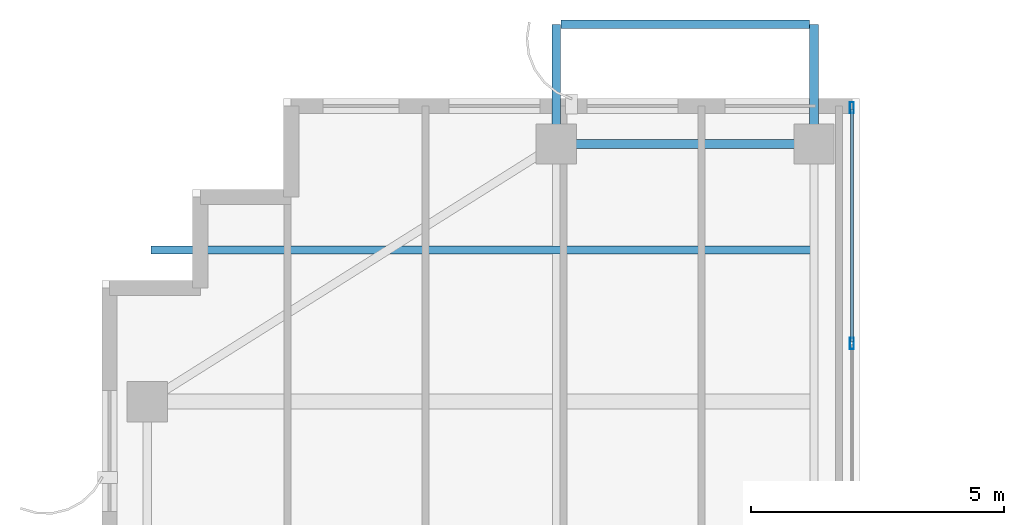
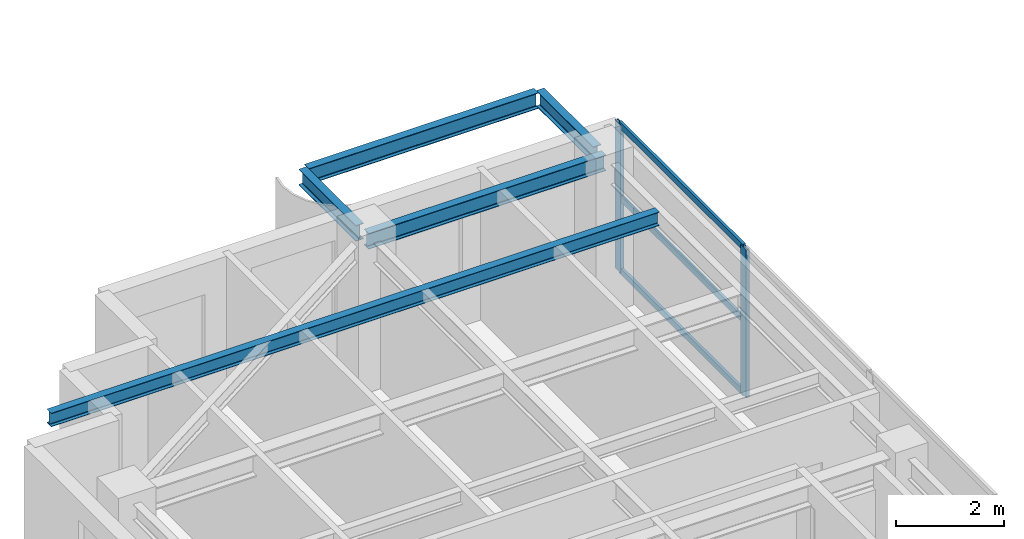
# One storey, part 14 of 22: 5 beams, 5 members, 1 element without a shape of its own.
"""IFC4 building model written with IfcOpenShell, lengths in metres."""

from ifc_helpers import new_model, si_unit, direction, frame, origin, origin_2d, place, context, subcontext, project, spatial, hollow_rectangle, i_section, extrude, source, transform, mapped, material, layer, layer_set, material_profile, profile_set, type_object, element, aggregate, save


model = new_model("IFC4")

# Units and contexts
model_context = context("Model", 3, precision=1e-05, world=origin(), true_north=direction((0.0, 1.0)))
body_context = subcontext(model_context, "Body", "Model", "MODEL_VIEW")
ifc_project = project(units=[si_unit("LENGTHUNIT", "METRE"), si_unit("AREAUNIT", "SQUARE_METRE"), si_unit("VOLUMEUNIT", "CUBIC_METRE"), si_unit("PLANEANGLEUNIT", "RADIAN"), si_unit("MASSUNIT", "GRAM", prefix="KILO")], contexts=[model_context])

# Site, building, storey
site_placement = place(None, origin())
site = spatial("IfcSite", under=ifc_project, at=site_placement, CompositionType="ELEMENT")
building_placement = place(site_placement, origin())
building = spatial("IfcBuilding", under=site, at=building_placement, Name="Khoralis Quay Care Tower", CompositionType="ELEMENT")
storey_placement = place(building_placement, frame((0.0, 0.0, 242.10009765625)))
storey = spatial("IfcBuildingStorey", under=building, at=storey_placement, Name="L63", CompositionType="ELEMENT", Elevation=242.10009765625)

# Beams
ifc_material_1 = material(Name="Steel S355", Category="steel")
ifc_material_profile_1 = material_profile(ifc_material_1, i_section(OverallWidth=0.169921875, OverallDepth=0.360107421875, WebThickness=0.008056640625, FlangeThickness=0.0126953125, FilletRadius=0.01806640625, at=origin_2d()), Name="Steel S355")
ifc_profile_set_1 = profile_set([ifc_material_profile_1], Name="Steel S355")
beam_type_1 = type_object("IfcBeamType", Name="BM-IPE360", PredefinedType="SPANDREL", material=ifc_profile_set_1)
shared_shape_1 = source(origin(), body_context, "Body", "SweptSolid", [
    extrude(i_section(OverallWidth=0.169921875, OverallDepth=0.360107421875, WebThickness=0.008056640625, FlangeThickness=0.0126953125, FilletRadius=0.01806640625, at=origin_2d()), origin(), (0.0, 0.0, 1.0), 5.10009765625),
])
beam_1_placement = place(storey_placement, frame((12.0, 41.10009765625, 3.179931640625), z_axis=(1.0, 0.0, 0.0), x_axis=(0.0, 1.0, 0.0)))
element("IfcBeam", 1, at=beam_1_placement, inside=storey, type_object=beam_type_1, Name="BM-TSP-L63-03", PredefinedType="SPANDREL", context=body_context, shape_type="MappedRepresentation", body=[
    mapped(shared_shape_1, transform((0.0, 0.0, 0.0), scale=1.0)),
])
ifc_material_profile_2 = material_profile(ifc_material_1, i_section(OverallWidth=0.1650390625, OverallDepth=0.31005859375, WebThickness=0.005859375, FlangeThickness=0.009765625, FilletRadius=0.011962890625, at=origin_2d()), Name="Steel S355")
ifc_profile_set_2 = profile_set([ifc_material_profile_2], Name="Steel S355")
beam_type_2 = type_object("IfcBeamType", Name="BM-W310X39", PredefinedType="JOIST", material=ifc_profile_set_2)
shared_shape_2 = source(origin(), body_context, "Body", "SweptSolid", [
    extrude(i_section(OverallWidth=0.1650390625, OverallDepth=0.31005859375, WebThickness=0.005859375, FlangeThickness=0.009765625, FilletRadius=0.011962890625, at=origin_2d()), origin(), (0.0, 0.0, 1.0), 13.06396484375),
])
beam_2_placement = place(storey_placement, frame((3.970947265625, 39.0, 3.204833984375), z_axis=(1.0, 0.0, 0.0), x_axis=(0.0, 1.0, 0.0)))
element("IfcBeam", 2, at=beam_2_placement, inside=storey, type_object=beam_type_2, Name="BM-TJS-L63-21", PredefinedType="JOIST", context=body_context, shape_type="MappedRepresentation", body=[
    mapped(shared_shape_2, transform((0.0, 0.0, 0.0), scale=1.0)),
])
shared_shape_3 = source(origin(), body_context, "Body", "SweptSolid", [
    extrude(i_section(OverallWidth=0.169921875, OverallDepth=0.360107421875, WebThickness=0.008056640625, FlangeThickness=0.0126953125, FilletRadius=0.01806640625, at=origin_2d()), origin(), (0.0, 0.0, 1.0), 2.119873046875),
])
for number, where, z_axis, x_axis, name in (
    (3, (12.0, 41.35009765625, 3.183837890625), (0.0, 1.0, 0.0), (-1.0, 0.0, 0.0), "L64 Balcony Cantilever Outrigger Beam 1"),
    (4, (17.10009765625, 41.35009765625, 3.183837890625), (0.0, 1.0, 0.0), (-1.0, 0.0, 0.0), "L64 Balcony Cantilever Outrigger Beam 2"),
):
    element("IfcBeam", number, at=place(storey_placement, frame(where, z_axis=z_axis, x_axis=x_axis)), inside=storey, type_object=beam_type_1, Name=name, PredefinedType="SPANDREL", context=body_context, shape_type="MappedRepresentation", body=[
        mapped(shared_shape_3, transform((0.0, 0.0, 0.0), scale=1.0)),
    ])

# Curtain wall, members
ifc_material_2 = material(Name="Pale anodised aluminium", Category="aluminium")
ifc_layer = layer(ifc_material_2, 0.18994140625)
ifc_layer_set = layer_set([ifc_layer], Name="Pale anodised aluminium")
curtain_wall_type = type_object("IfcCurtainWallType", Name="CW-SYS-PORTAL", PredefinedType="NOTDEFINED", material=ifc_layer_set)
curtain_wall_placement = place(storey_placement, origin())
curtain_wall = element("IfcCurtainWall", 5, at=curtain_wall_placement, inside=storey, type_object=curtain_wall_type, Name="L63 Unitised Curtain Wall CW-VP-L63-P1-N", PredefinedType="NOTDEFINED")
ifc_material_profile_3 = material_profile(ifc_material_2, hollow_rectangle(XDim=0.06005859375, YDim=0.139892578125, WallThickness=0.00390625, at=origin_2d()), Name="Pale anodised aluminium")
ifc_profile_set_3 = profile_set([ifc_material_profile_3], Name="Pale anodised aluminium")
member_type_1 = type_object("IfcMemberType", Name="CW-TRN-140", PredefinedType="USERDEFINED", material=ifc_profile_set_3)
shared_shape_4 = source(origin(), body_context, "Body", "SweptSolid", [
    extrude(hollow_rectangle(XDim=0.06005859375, YDim=0.139892578125, WallThickness=0.00390625, at=origin_2d()), origin(), (0.0, 0.0, 1.0), 4.610107421875),
])
member_1_placement = place(storey_placement, frame((17.85009765625, 37.179931640625, 0.02978515625), z_axis=(0.0, 1.0, 0.0), x_axis=(-1.0, 0.0, 0.0)))
member_1 = element("IfcMember", 6, at=member_1_placement, type_object=member_type_1, Name="CW4 transom 3.1", ObjectType="TRANSOM", PredefinedType="USERDEFINED", context=body_context, shape_type="MappedRepresentation", body=[
    mapped(shared_shape_4, transform((0.0, 0.0, 0.0), scale=1.0)),
])
member_2_placement = place(storey_placement, frame((17.85009765625, 37.179931640625, 1.679931640625), z_axis=(0.0, 1.0, 0.0), x_axis=(-1.0, 0.0, 0.0)))
member_2 = element("IfcMember", 7, at=member_2_placement, type_object=member_type_1, Name="CW4 transom 3.2", ObjectType="TRANSOM", PredefinedType="USERDEFINED", context=body_context, shape_type="MappedRepresentation", body=[
    mapped(shared_shape_4, transform((0.0, 0.0, 0.0), scale=1.0)),
])
member_3_placement = place(storey_placement, frame((17.85009765625, 37.179931640625, 3.329833984375), z_axis=(0.0, 1.0, 0.0), x_axis=(-1.0, 0.0, 0.0)))
member_3 = element("IfcMember", 8, at=member_3_placement, type_object=member_type_1, Name="CW4 transom 3.3", ObjectType="TRANSOM", PredefinedType="USERDEFINED", context=body_context, shape_type="MappedRepresentation", body=[
    mapped(shared_shape_4, transform((0.0, 0.0, 0.0), scale=1.0)),
])
ifc_material_profile_4 = material_profile(ifc_material_2, hollow_rectangle(XDim=0.074951171875, YDim=0.219970703125, WallThickness=0.00390625, at=origin_2d()), Name="Pale anodised aluminium")
ifc_profile_set_4 = profile_set([ifc_material_profile_4], Name="Pale anodised aluminium")
member_type_2 = type_object("IfcMemberType", Name="CW-MUL-220", PredefinedType="MULLION", material=ifc_profile_set_4)
shared_shape_5 = source(origin(), body_context, "Body", "SweptSolid", [
    extrude(hollow_rectangle(XDim=0.074951171875, YDim=0.219970703125, WallThickness=0.00390625, at=origin_2d()), origin(), (0.0, 0.0, 1.0), 3.35986328125),
])
member_4_placement = place(storey_placement, frame((17.85009765625, 37.14990234375, 0.0), z_axis=(0.0, 0.0, 1.0), x_axis=(-1.0, 0.0, 0.0)))
member_4 = element("IfcMember", 9, at=member_4_placement, type_object=member_type_2, Name="CW4 mullion 3", PredefinedType="MULLION", context=body_context, shape_type="MappedRepresentation", body=[
    mapped(shared_shape_5, transform((0.0, 0.0, 0.0), scale=1.0)),
])
member_5_placement = place(storey_placement, frame((17.85009765625, 41.820068359375, 0.0), z_axis=(0.0, 0.0, 1.0), x_axis=(-1.0, 0.0, 0.0)))
member_5 = element("IfcMember", 10, at=member_5_placement, type_object=member_type_2, Name="CW4 mullion 4", PredefinedType="MULLION", context=body_context, shape_type="MappedRepresentation", body=[
    mapped(shared_shape_5, transform((0.0, 0.0, 0.0), scale=1.0)),
])
aggregate(curtain_wall, [member_4, member_5, member_1, member_2, member_3])

# Beam
shared_shape_6 = source(origin(), body_context, "Body", "SweptSolid", [
    extrude(i_section(OverallWidth=0.169921875, OverallDepth=0.360107421875, WebThickness=0.008056640625, FlangeThickness=0.0126953125, FilletRadius=0.01806640625, at=origin_2d()), origin(), (0.0, 0.0, 1.0), 4.924072265625),
])
beam_3_placement = place(storey_placement, frame((12.087890625, 43.469970703125, 3.183837890625), z_axis=(1.0, 0.0, 0.0), x_axis=(0.0, 1.0, 0.0)))
element("IfcBeam", 11, at=beam_3_placement, inside=storey, type_object=beam_type_1, Name="L64 Balcony Edge Spandrel Beam P1E2", PredefinedType="SPANDREL", context=body_context, shape_type="MappedRepresentation", body=[
    mapped(shared_shape_6, transform((0.0, 0.0, 0.0), scale=1.0)),
])

save(model, "model.ifc")
